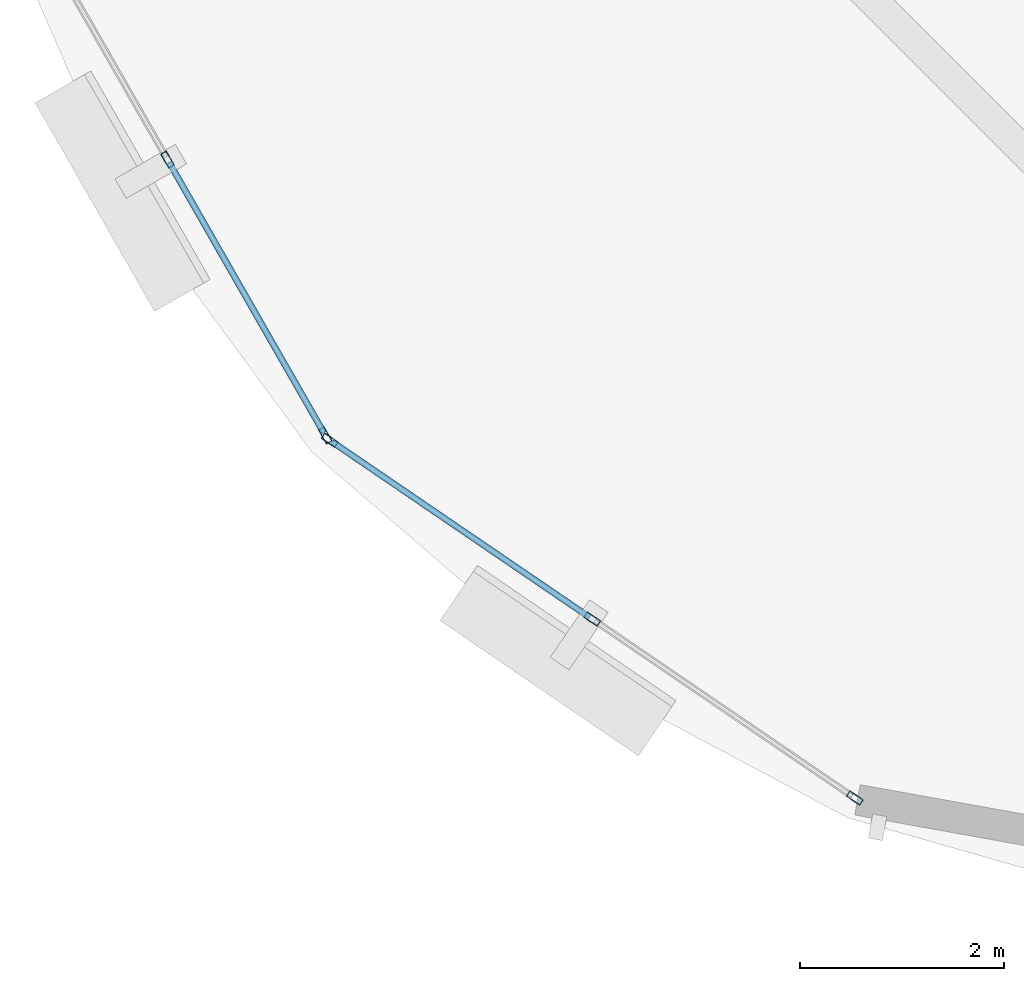
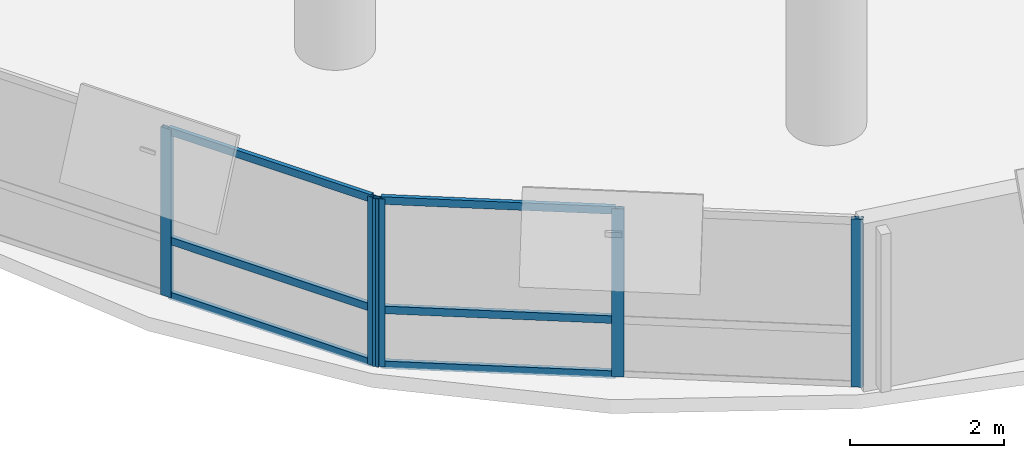
# One storey, part 2 of 12: 11 members, 2 elements without a shape of their own.
"""IFC4 building model written with IfcOpenShell, lengths in metres."""

from ifc_helpers import new_model, si_unit, direction, frame, origin, origin_2d, place, context, subcontext, project, spatial, hollow_rectangle, extrude, material, layer, layer_set, material_profile, profile_set, type_object, element, aggregate, save


model = new_model("IFC4")

# Units and contexts
model_context = context("Model", 3, precision=1e-05, world=origin(), true_north=direction((0.0, 1.0)))
body_context = subcontext(model_context, "Body", "Model", "MODEL_VIEW")
ifc_project = project(units=[si_unit("LENGTHUNIT", "METRE"), si_unit("AREAUNIT", "SQUARE_METRE"), si_unit("VOLUMEUNIT", "CUBIC_METRE"), si_unit("PLANEANGLEUNIT", "RADIAN"), si_unit("MASSUNIT", "GRAM", prefix="KILO"), si_unit("THERMODYNAMICTEMPERATUREUNIT", "KELVIN"), si_unit("POWERUNIT", "WATT")], contexts=[model_context])

# Site, building, storey
site_placement = place(None, origin())
site = spatial("IfcSite", under=ifc_project, at=site_placement, CompositionType="ELEMENT")
building_placement = place(site_placement, origin())
building = spatial("IfcBuilding", under=site, at=building_placement, Name="Ocrelia Relay Tower", CompositionType="ELEMENT")
storey_placement = place(building_placement, frame((0.0, 0.0, 209.60009765625)))
storey = spatial("IfcBuildingStorey", under=building, at=storey_placement, Name="L51", CompositionType="ELEMENT", Elevation=209.60009765625)

# Curtain wall, members
ifc_material_1 = material(Name="Aluminium and solar-control low-E glass", Category="aluminium")
ifc_layer = layer(ifc_material_1, 0.179931640625, Name="Aluminium and solar-control low-E glass")
ifc_layer_set = layer_set([ifc_layer], Name="Aluminium and solar-control low-E glass")
curtain_wall_type = type_object("IfcCurtainWallType", Name="CW-SYS-Z3-CLOU", PredefinedType="NOTDEFINED", material=ifc_layer_set)
curtain_wall_1_placement = place(storey_placement, origin())
curtain_wall_1 = element("IfcCurtainWall", 1, at=curtain_wall_1_placement, inside=storey, type_object=curtain_wall_type, Name="L51 Elliptical Tower Curtain Wall Bay 09", PredefinedType="NOTDEFINED")
ifc_material_2 = material(Name="Anodised bronze aluminium", Category="aluminium")
ifc_material_profile_1 = material_profile(ifc_material_2, hollow_rectangle(XDim=0.06494140625, YDim=0.159912109375, WallThickness=0.0048828125, at=origin_2d()), Name="CW-MUL-160x65")
ifc_profile_set_1 = profile_set([ifc_material_profile_1], Name="Anodised bronze aluminium")
member_type_1 = type_object("IfcMemberType", Name="CW-SYS-Z3-CLOU-MUL", PredefinedType="MULLION", material=ifc_profile_set_1)
member_1_placement = place(storey_placement, frame((15.257080078125, 12.8427734375, 0.0), z_axis=(0.0, 0.0, 1.0), x_axis=(0.868022670008, 0.496524565709, 0.0)))
member_1 = element("IfcMember", 2, at=member_1_placement, type_object=member_type_1, Name="CW-Z3 mullion 2", PredefinedType="MULLION", context=body_context, shape_type="SweptSolid", body=[
    extrude(hollow_rectangle(XDim=0.06494140625, YDim=0.159912109375, WallThickness=0.0048828125, at=origin_2d()), origin(), (0.0, 0.0, 1.0), 2.659912109375),
])
member_2_placement = place(storey_placement, frame((16.80078125, 10.144287109375, 0.0), z_axis=(0.0, 0.0, 1.0), x_axis=(0.868022670008, 0.496524565709, 0.0)))
member_2 = element("IfcMember", 3, at=member_2_placement, type_object=member_type_1, Name="CW-Z3 mullion 3", PredefinedType="MULLION", context=body_context, shape_type="SweptSolid", body=[
    extrude(hollow_rectangle(XDim=0.06494140625, YDim=0.159912109375, WallThickness=0.0048828125, at=origin_2d()), origin(), (0.0, 0.0, 1.0), 2.659912109375),
])

curtain_wall_2_placement = place(storey_placement, origin())
curtain_wall_2 = element("IfcCurtainWall", 4, at=curtain_wall_2_placement, inside=storey, type_object=curtain_wall_type, Name="L51 Elliptical Tower Curtain Wall Bay 10", PredefinedType="NOTDEFINED")
member_3_placement = place(storey_placement, frame((16.84375, 10.097900390625, 0.0), z_axis=(0.0, 0.0, 1.0), x_axis=(0.563097760098, 0.826390290705, 0.0)))
member_3 = element("IfcMember", 5, at=member_3_placement, type_object=member_type_1, Name="CW-Z3 mullion 1", PredefinedType="MULLION", context=body_context, shape_type="SweptSolid", body=[
    extrude(hollow_rectangle(XDim=0.06494140625, YDim=0.159912109375, WallThickness=0.0048828125, at=origin_2d()), origin(), (0.0, 0.0, 1.0), 2.659912109375),
])
member_4_placement = place(storey_placement, frame((19.412841796875, 8.34716796875, 0.0), z_axis=(0.0, 0.0, 1.0), x_axis=(0.563097760098, 0.826390290705, 0.0)))
member_4 = element("IfcMember", 6, at=member_4_placement, type_object=member_type_1, Name="CW-Z3 mullion 2", PredefinedType="MULLION", context=body_context, shape_type="SweptSolid", body=[
    extrude(hollow_rectangle(XDim=0.06494140625, YDim=0.159912109375, WallThickness=0.0048828125, at=origin_2d()), origin(), (0.0, 0.0, 1.0), 2.659912109375),
])
member_5_placement = place(storey_placement, frame((21.98193359375, 6.5966796875, 0.0), z_axis=(0.0, 0.0, 1.0), x_axis=(0.563097760098, 0.826390290705, 0.0)))
member_5 = element("IfcMember", 7, at=member_5_placement, type_object=member_type_1, Name="CW-Z3 mullion 3", PredefinedType="MULLION", context=body_context, shape_type="SweptSolid", body=[
    extrude(hollow_rectangle(XDim=0.06494140625, YDim=0.159912109375, WallThickness=0.0048828125, at=origin_2d()), origin(), (0.0, 0.0, 1.0), 2.659912109375),
])

# Member
ifc_material_profile_2 = material_profile(ifc_material_2, hollow_rectangle(XDim=0.06005859375, YDim=0.1201171875, WallThickness=0.0048828125, at=origin_2d()), Name="CW-TRN-120x60")
ifc_profile_set_2 = profile_set([ifc_material_profile_2], Name="Anodised bronze aluminium")
member_type_2 = type_object("IfcMemberType", Name="CW-SYS-Z3-CLOU-TRN", PredefinedType="USERDEFINED", material=ifc_profile_set_2)
member_6_placement = place(storey_placement, frame((15.273193359375, 12.814697265625, 0.02978515625), z_axis=(0.496562126079, -0.868001183723, 0.0), x_axis=(0.868001183723, 0.496562126079, 0.0)))
member_6 = element("IfcMember", 8, at=member_6_placement, type_object=member_type_2, Name="CW-Z3 transom 2.1", ObjectType="TRANSOM", PredefinedType="USERDEFINED", context=body_context, shape_type="SweptSolid", body=[
    extrude(hollow_rectangle(XDim=0.06005859375, YDim=0.1201171875, WallThickness=0.0048828125, at=origin_2d()), origin(), (0.0, 0.0, 1.0), 3.0439453125),
])

member_7_placement = place(storey_placement, frame((15.273193359375, 12.814697265625, 0.89990234375), z_axis=(0.496562126079, -0.868001183723, 0.0), x_axis=(0.868001183723, 0.496562126079, 0.0)))
member_7 = element("IfcMember", 9, at=member_7_placement, type_object=member_type_2, Name="CW-Z3 transom 2.2", ObjectType="TRANSOM", PredefinedType="USERDEFINED", context=body_context, shape_type="SweptSolid", body=[
    extrude(hollow_rectangle(XDim=0.06005859375, YDim=0.1201171875, WallThickness=0.0048828125, at=origin_2d()), origin(), (0.0, 0.0, 1.0), 3.0439453125),
])

member_8_placement = place(storey_placement, frame((15.273193359375, 12.814697265625, 2.6298828125), z_axis=(0.496562126079, -0.868001183723, 0.0), x_axis=(0.868001183723, 0.496562126079, 0.0)))
member_8 = element("IfcMember", 10, at=member_8_placement, type_object=member_type_2, Name="CW-Z3 transom 2.3", ObjectType="TRANSOM", PredefinedType="USERDEFINED", context=body_context, shape_type="SweptSolid", body=[
    extrude(hollow_rectangle(XDim=0.06005859375, YDim=0.1201171875, WallThickness=0.0048828125, at=origin_2d()), origin(), (0.0, 0.0, 1.0), 3.0439453125),
])

aggregate(curtain_wall_1, [member_1, member_2, member_6, member_7, member_8])

member_9_placement = place(storey_placement, frame((16.87060546875, 10.07958984375, 0.02978515625), z_axis=(0.826368159247, -0.563130238384, 0.0), x_axis=(0.563130238384, 0.826368159247, 0.0)))
member_9 = element("IfcMember", 11, at=member_9_placement, type_object=member_type_2, Name="CW-Z3 transom 1.1", ObjectType="TRANSOM", PredefinedType="USERDEFINED", context=body_context, shape_type="SweptSolid", body=[
    extrude(hollow_rectangle(XDim=0.06005859375, YDim=0.1201171875, WallThickness=0.0048828125, at=origin_2d()), origin(), (0.0, 0.0, 1.0), 3.0439453125),
])

member_10_placement = place(storey_placement, frame((16.87060546875, 10.07958984375, 0.89990234375), z_axis=(0.826368159247, -0.563130238384, 0.0), x_axis=(0.563130238384, 0.826368159247, 0.0)))
member_10 = element("IfcMember", 12, at=member_10_placement, type_object=member_type_2, Name="CW-Z3 transom 1.2", ObjectType="TRANSOM", PredefinedType="USERDEFINED", context=body_context, shape_type="SweptSolid", body=[
    extrude(hollow_rectangle(XDim=0.06005859375, YDim=0.1201171875, WallThickness=0.0048828125, at=origin_2d()), origin(), (0.0, 0.0, 1.0), 3.0439453125),
])

member_11_placement = place(storey_placement, frame((16.87060546875, 10.07958984375, 2.6298828125), z_axis=(0.826368159247, -0.563130238384, 0.0), x_axis=(0.563130238384, 0.826368159247, 0.0)))
member_11 = element("IfcMember", 13, at=member_11_placement, type_object=member_type_2, Name="CW-Z3 transom 1.3", ObjectType="TRANSOM", PredefinedType="USERDEFINED", context=body_context, shape_type="SweptSolid", body=[
    extrude(hollow_rectangle(XDim=0.06005859375, YDim=0.1201171875, WallThickness=0.0048828125, at=origin_2d()), origin(), (0.0, 0.0, 1.0), 3.0439453125),
])

aggregate(curtain_wall_2, [member_3, member_4, member_5, member_9, member_10, member_11])

save(model, "model.ifc")
